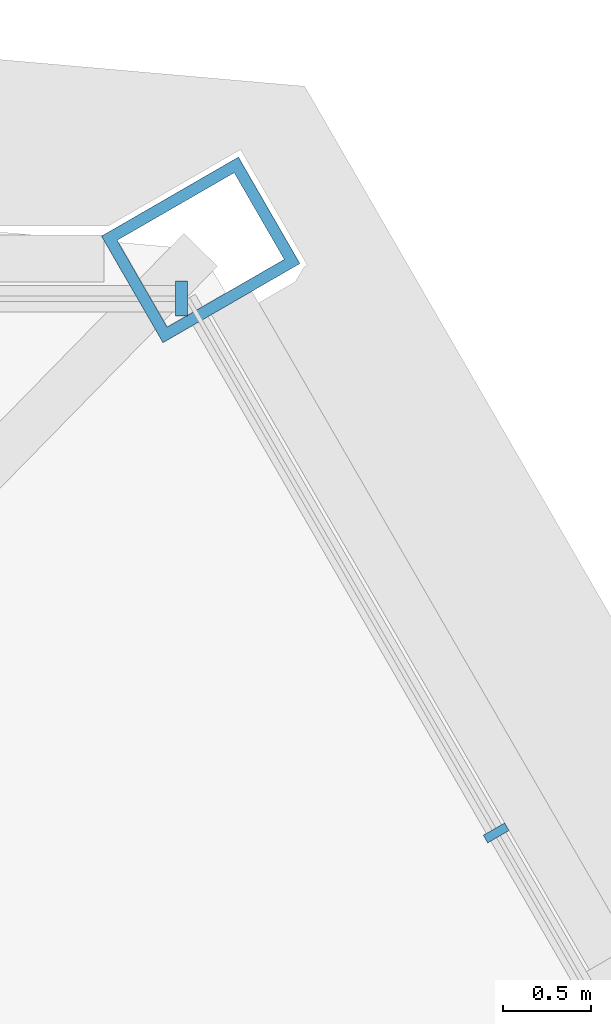
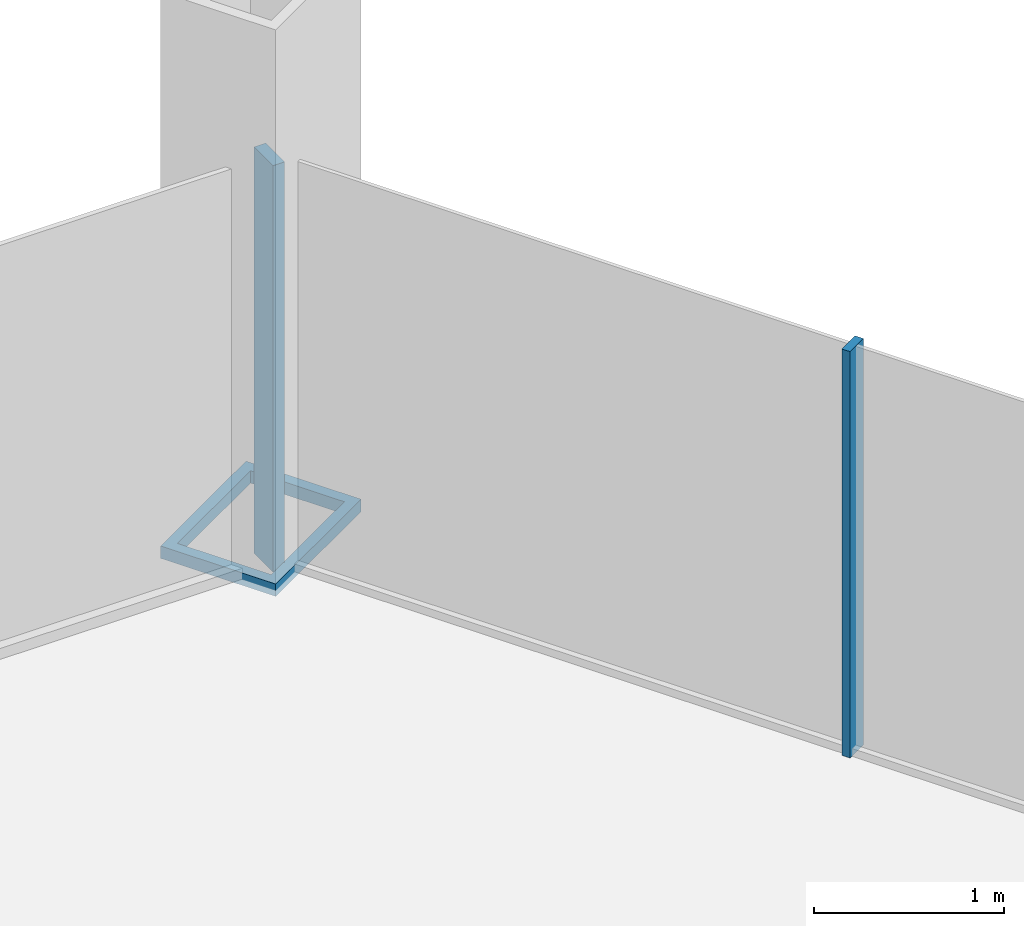
# One storey, part 9 of 18: 3 members, 2 elements without a shape of their own.
"""IFC4 building model written with IfcOpenShell, lengths in metres."""

from ifc_helpers import new_model, si_unit, direction, frame, origin, origin_2d, place, context, subcontext, project, spatial, rectangle, hollow_rectangle, extrude, material, material_profile, profile_set, type_object, element, aggregate, save


model = new_model("IFC4")

# Units and contexts
model_context = context("Model", 3, precision=1e-05, world=origin(), true_north=direction((0.0, 1.0)))
body_context = subcontext(model_context, "Body", "Model", "MODEL_VIEW")
ifc_project = project(units=[si_unit("LENGTHUNIT", "METRE"), si_unit("AREAUNIT", "SQUARE_METRE"), si_unit("VOLUMEUNIT", "CUBIC_METRE"), si_unit("PLANEANGLEUNIT", "RADIAN"), si_unit("MASSUNIT", "GRAM", prefix="KILO")], contexts=[model_context])

# Site, building, storey
site_placement = place(None, origin())
site = spatial("IfcSite", under=ifc_project, at=site_placement, CompositionType="ELEMENT")
building_placement = place(site_placement, origin())
building = spatial("IfcBuilding", under=site, at=building_placement, Name="Verrane Prism Tower", CompositionType="ELEMENT")
storey_placement = place(building_placement, frame((0.0, 0.0, 47.60009765625)))
storey = spatial("IfcBuildingStorey", under=building, at=storey_placement, Name="L09", CompositionType="ELEMENT", Elevation=47.60009765625)

# Member
ifc_material_1 = material(Name="Steel A572 Grade 50", Category="steel")
ifc_material_profile_1 = material_profile(ifc_material_1, hollow_rectangle(XDim=0.699951171875, YDim=0.89990234375, WallThickness=0.06494140625, at=origin_2d()), Name="BOX 900x700x65")
ifc_profile_set_1 = profile_set([ifc_material_profile_1], Name="Steel A572 Grade 50")
member_type_1 = type_object("IfcMemberType", Name="Kink node BOX 900x700x65", PredefinedType="COLLAR", material=ifc_profile_set_1)
member_1_placement = place(storey_placement, frame((25.549072265625, 21.068359375, -0.0400390625), z_axis=(0.0, 0.0, 1.0), x_axis=(0.5, -0.866025403784, 0.0)))
element("IfcMember", 1, at=member_1_placement, inside=storey, type_object=member_type_1, Name="Kink node MC3 L09", PredefinedType="COLLAR", context=body_context, shape_type="SweptSolid", body=[
    extrude(hollow_rectangle(XDim=0.699951171875, YDim=0.89990234375, WallThickness=0.06494140625, at=origin_2d()), origin(), (0.0, 0.0, 1.0), 0.079833984375),
])

# Curtain wall, member
ifc_material_2 = material(Name="Aluminium framed insulated glazing", Category="aluminium")
curtain_wall_type_1 = type_object("IfcCurtainWallType", Name="Curtain wall CW-C 4200 module", PredefinedType="NOTDEFINED", material=ifc_material_2)
curtain_wall_1_placement = place(storey_placement, origin())
curtain_wall_1 = element("IfcCurtainWall", 2, at=curtain_wall_1_placement, inside=storey, type_object=curtain_wall_type_1, Name="Glazed curtain wall north-east corner L09", PredefinedType="NOTDEFINED")
ifc_material_3 = material(Name="Aluminium alloy 6063-T6", Category="aluminium")
ifc_material_profile_2 = material_profile(ifc_material_3, rectangle(XDim=0.139892578125, YDim=0.050048828125, at=origin_2d()), Name="Mullion 50x140 aluminium")
ifc_profile_set_2 = profile_set([ifc_material_profile_2], Name="Aluminium alloy 6063-T6")
member_type_2 = type_object("IfcMemberType", Name="Mullion 50x140 aluminium", PredefinedType="MULLION", material=ifc_profile_set_2)
member_2_placement = place(storey_placement, frame((27.231201171875, 17.74951171875, 0.0), z_axis=(0.0, 0.0, 1.0), x_axis=(-0.866026104978, -0.499998785495, 0.0)))
member_2 = element("IfcMember", 3, at=member_2_placement, type_object=member_type_2, Name="CW09.1 mullion 3", PredefinedType="MULLION", context=body_context, shape_type="SweptSolid", body=[
    extrude(rectangle(XDim=0.139892578125, YDim=0.050048828125, at=origin_2d()), origin(), (0.0, 0.0, 1.0), 2.61279296875),
])
aggregate(curtain_wall_1, [member_2])

ifc_material_4 = material(Name="Aluminium framed insulated glazing", Category="aluminium")
curtain_wall_type_2 = type_object("IfcCurtainWallType", Name="Curtain wall CW-A 8400 module", PredefinedType="NOTDEFINED", material=ifc_material_4)
curtain_wall_2_placement = place(storey_placement, origin())
curtain_wall_2 = element("IfcCurtainWall", 4, at=curtain_wall_2_placement, inside=storey, type_object=curtain_wall_type_2, Name="Glazed curtain wall north face L09", PredefinedType="NOTDEFINED")
ifc_material_5 = material(Name="Aluminium alloy 6063-T6", Category="aluminium")
ifc_material_profile_3 = material_profile(ifc_material_5, rectangle(XDim=0.199951171875, YDim=0.070068359375, at=origin_2d()), Name="Mullion 70x200 aluminium")
ifc_profile_set_3 = profile_set([ifc_material_profile_3], Name="Aluminium alloy 6063-T6")
member_type_3 = type_object("IfcMemberType", Name="Mullion 70x200 aluminium", PredefinedType="MULLION", material=ifc_profile_set_3)
member_3_placement = place(storey_placement, frame((25.440185546875, 20.791015625, 0.0), z_axis=(0.0, 0.0, 1.0), x_axis=(0.0, -1.0, 0.0)))
member_3 = element("IfcMember", 5, at=member_3_placement, type_object=member_type_3, Name="CW09.2 mullion 1", PredefinedType="MULLION", context=body_context, shape_type="SweptSolid", body=[
    extrude(rectangle(XDim=0.199951171875, YDim=0.070068359375, at=origin_2d()), origin(), (0.0, 0.0, 1.0), 2.61279296875),
])
aggregate(curtain_wall_2, [member_3])

save(model, "model.ifc")
